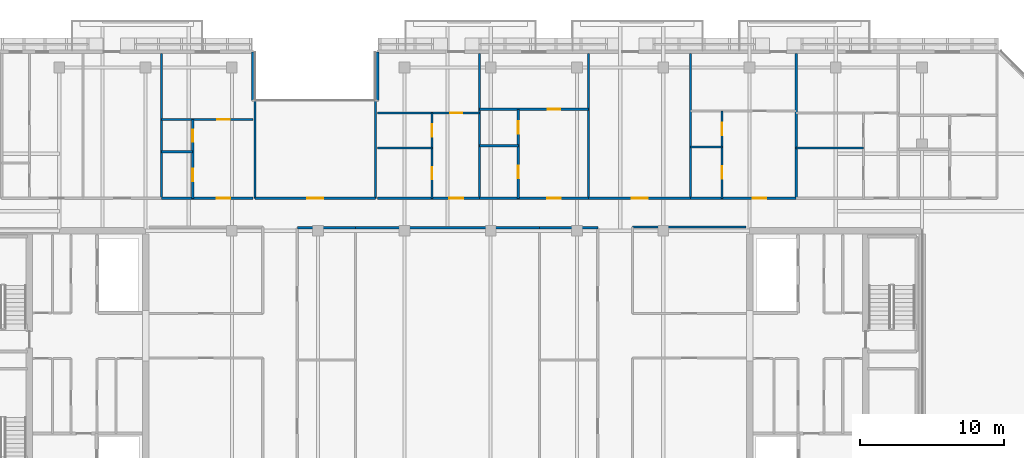
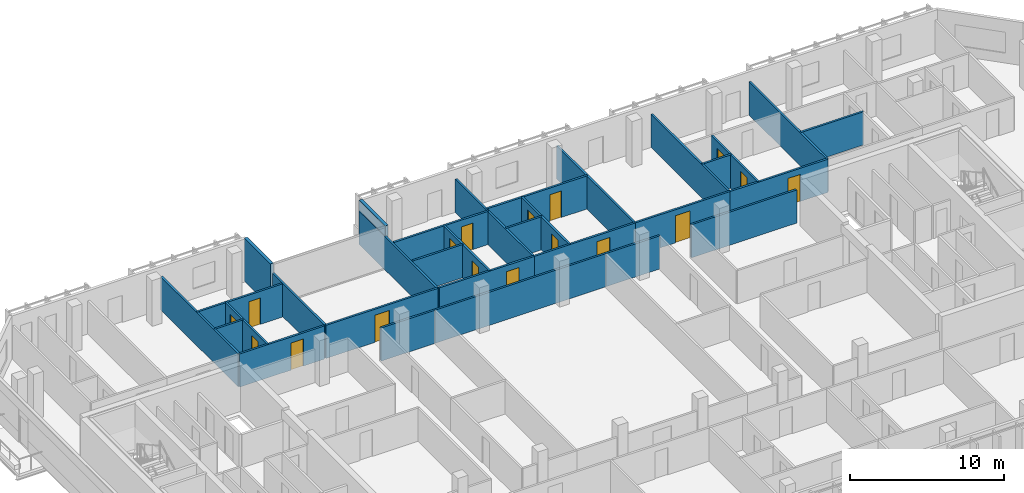
# One storey, part 14 of 23: 31 walls, 17 doors, 17 openings.
"""IFC4 building model written with IfcOpenShell, lengths in metres."""

from ifc_helpers import new_model, si_unit, direction, frame, frame_2d, origin, place, context, subcontext, project, spatial, rectangle, extrude, material, layer, layer_set, type_object, element, fill, save


model = new_model("IFC4")

# Units and contexts
model_context = context("Model", 3, precision=1e-05, world=origin(), true_north=direction((0.0, 1.0)))
body_context = subcontext(model_context, "Body", "Model", "MODEL_VIEW")
ifc_project = project(units=[si_unit("LENGTHUNIT", "METRE"), si_unit("AREAUNIT", "SQUARE_METRE"), si_unit("VOLUMEUNIT", "CUBIC_METRE"), si_unit("PLANEANGLEUNIT", "RADIAN"), si_unit("MASSUNIT", "GRAM", prefix="KILO")], contexts=[model_context])

# Site, building, storey
site_placement = place(None, origin())
site = spatial("IfcSite", under=ifc_project, at=site_placement, CompositionType="ELEMENT")
building_placement = place(site_placement, origin())
building = spatial("IfcBuilding", under=site, at=building_placement, Name="Tanjung Sevakor Pilgrim Tower", CompositionType="ELEMENT")
storey_placement = place(building_placement, frame((0.0, 0.0, 215.489990234375)))
storey = spatial("IfcBuildingStorey", under=building, at=storey_placement, Name="L60", CompositionType="ELEMENT", Elevation=215.489990234375)

# Walls
ifc_material_1 = material(Name="Concrete C40/50", Category="concrete")
ifc_layer_1 = layer(ifc_material_1, 0.14990234375)
ifc_layer_set_1 = layer_set([ifc_layer_1], Name="WT-COMP-150")
wall_type_1 = type_object("IfcWallType", Name="WT-COMP-150", PredefinedType="SOLIDWALL", material=ifc_layer_set_1)
wall_1_placement = place(storey_placement, frame((69.85009765625, 42.85009765625, 0.0), z_axis=(0.0, 0.0, 1.0), x_axis=(1.0, 0.0, 0.0)))
element("IfcWall", 1, at=wall_1_placement, inside=storey, type_object=wall_type_1, Name="L60 Partition IW-L60-043", PredefinedType="SOLIDWALL", context=body_context, shape_type="SweptSolid", body=[
    extrude(rectangle(XDim=7.90478515625, YDim=0.14990234375, at=frame_2d((3.952392578125, 0.0))), origin(), (0.0, 0.0, 1.0), 2.6298828125),
])
wall_2_placement = place(storey_placement, frame((46.550048828125, 42.800048828125, 0.0), z_axis=(0.0, 0.0, 1.0), x_axis=(1.0, 0.0, 0.0)))
element("IfcWall", 2, at=wall_2_placement, inside=storey, type_object=wall_type_1, Name="L60 Partition IW-L60-048", PredefinedType="SOLIDWALL", context=body_context, shape_type="SweptSolid", body=[
    extrude(rectangle(XDim=4.050048828125, YDim=0.14990234375, at=frame_2d((2.02490234375, 0.0))), origin(), (0.0, 0.0, 1.0), 2.6298828125),
])
wall_3_placement = place(storey_placement, frame((50.60009765625, 42.800048828125, 0.0), z_axis=(0.0, 0.0, 1.0), x_axis=(1.0, 0.0, 0.0)))
element("IfcWall", 3, at=wall_3_placement, inside=storey, type_object=wall_type_1, Name="L60 Partition IW-L60-051", PredefinedType="SOLIDWALL", context=body_context, shape_type="SweptSolid", body=[
    extrude(rectangle(XDim=12.7998046875, YDim=0.14990234375, at=frame_2d((6.39990234375, 0.0))), origin(), (0.0, 0.0, 1.0), 2.6298828125),
])
wall_4_placement = place(storey_placement, frame((63.39990234375, 42.800048828125, 0.0), z_axis=(0.0, 0.0, 1.0), x_axis=(1.0, 0.0, 0.0)))
element("IfcWall", 4, at=wall_4_placement, inside=storey, type_object=wall_type_1, Name="L60 Partition IW-L60-057", PredefinedType="SOLIDWALL", context=body_context, shape_type="SweptSolid", body=[
    extrude(rectangle(XDim=4.050048828125, YDim=0.14990234375, at=frame_2d((2.02490234375, 0.0))), origin(), (0.0, 0.0, 1.0), 2.6298828125),
])

# Wall, opening, door
wall_5_placement = place(storey_placement, frame((43.60009765625, 44.85009765625, 0.0), z_axis=(0.0, 0.0, 1.0), x_axis=(1.0, 0.0, 0.0)))
wall_5 = element("IfcWall", 5, at=wall_5_placement, inside=storey, type_object=wall_type_1, Name="L60 Partition IW-L60-062", PredefinedType="SOLIDWALL", context=body_context, shape_type="SweptSolid", body=[
    extrude(rectangle(XDim=8.39990234375, YDim=0.14990234375, at=frame_2d((4.199951171875, 0.0))), origin(), (0.0, 0.0, 1.0), 2.6298828125),
])
opening_1_placement = place(wall_5_placement, frame((3.64990234375, 0.0, 0.0)))
opening_1 = element("IfcOpeningElement", 6, at=opening_1_placement, cuts=wall_5, Name="Opening ID-RM2", PredefinedType="OPENING", context=body_context, shape_type="SweptSolid", body=[
    extrude(rectangle(XDim=1.10009765625, YDim=2.14990234375, at=frame_2d((0.550048828125, 1.074951171875))), frame((0.0, 0.0849609375, 0.0), z_axis=(0.0, -1.0, 0.0), x_axis=(1.0, 0.0, 0.0)), (0.0, 0.0, 1.0), 0.169921875),
])
ifc_material_2 = material(Name="Hardwood Timber", Category="wood")
door_type_1 = type_object("IfcDoorType", Name="DT-INT-1100", OperationType="NOTDEFINED", PredefinedType="DOOR", material=ifc_material_2)
door_1_placement = place(opening_1_placement, origin())
door_1 = element("IfcDoor", 7, at=door_1_placement, inside=storey, type_object=door_type_1, Name="L60 North Cleft Seminar Room Door", OperationType="SINGLE_SWING_RIGHT", OverallHeight=2.14990234375, OverallWidth=1.10009765625, PredefinedType="DOOR", context=body_context, shape_type="SweptSolid", body=[
    extrude(rectangle(XDim=1.10009765625, YDim=2.14990234375, at=frame_2d((0.550048828125, 1.074951171875))), frame((0.0, 0.02490234375, 0.0), z_axis=(0.0, -1.0, 0.0), x_axis=(1.0, 0.0, 0.0)), (0.0, 0.0, 1.0), 0.050048828125),
])
fill(opening_1, door_1)

# Walls
for number, where, z_axis, x_axis, name in (
    (8, (43.60009765625, 44.85009765625, 0.0), (0.0, 0.0, 1.0), (0.0, 1.0, 0.0), "L60 Partition IW-L60-063"),
    (9, (52.0, 44.85009765625, 0.0), (0.0, 0.0, 1.0), (0.0, 1.0, 0.0), "L60 Partition IW-L60-064"),
    (10, (37.119384765625, 44.85009765625, 0.0), (0.0, 0.0, 1.0), (0.0, 1.0, 0.0), "L60 Partition IW-L60-099"),
):
    element("IfcWall", number, at=place(storey_placement, frame(where, z_axis=z_axis, x_axis=x_axis)), inside=storey, type_object=wall_type_1, Name=name, PredefinedType="SOLIDWALL", context=body_context, shape_type="SweptSolid", body=[
        extrude(rectangle(XDim=10.079833984375, YDim=0.14990234375, at=frame_2d((5.0400390625, 0.0))), origin(), (0.0, 0.0, 1.0), 2.6298828125),
    ])

# Wall, opening, door
wall_6_placement = place(storey_placement, frame((37.119384765625, 44.85009765625, 0.0), z_axis=(0.0, 0.0, 1.0), x_axis=(1.0, 0.0, 0.0)))
wall_6 = element("IfcWall", 11, at=wall_6_placement, inside=storey, type_object=wall_type_1, Name="L60 Partition IW-L60-104", PredefinedType="SOLIDWALL", context=body_context, shape_type="SweptSolid", body=[
    extrude(rectangle(XDim=6.360595703125, YDim=0.14990234375, at=frame_2d((3.18017578125, 0.0))), origin(), (0.0, 0.0, 1.0), 2.6298828125),
])
opening_2_placement = place(wall_6_placement, frame((3.82666015625, 0.0, 0.0)))
opening_2 = element("IfcOpeningElement", 12, at=opening_2_placement, cuts=wall_6, Name="Opening ID-FD2", PredefinedType="OPENING", context=body_context, shape_type="SweptSolid", body=[
    extrude(rectangle(XDim=0.949951171875, YDim=2.14990234375, at=frame_2d((0.47509765625, 1.074951171875))), frame((0.0, 0.0849609375, 0.0), z_axis=(0.0, -1.0, 0.0), x_axis=(1.0, 0.0, 0.0)), (0.0, 0.0, 1.0), 0.169921875),
])
ifc_material_3 = material(Name="Fire-Rated Timber", Category="wood")
door_type_2 = type_object("IfcDoorType", Name="DT-FIRE-950", OperationType="NOTDEFINED", PredefinedType="DOOR", material=ifc_material_3)
door_2_placement = place(opening_2_placement, origin())
door_2 = element("IfcDoor", 13, at=door_2_placement, inside=storey, type_object=door_type_2, Name="Residence Entrance", OperationType="SINGLE_SWING_RIGHT", OverallHeight=2.14990234375, OverallWidth=0.949951171875, PredefinedType="DOOR", context=body_context, shape_type="SweptSolid", body=[
    extrude(rectangle(XDim=0.949951171875, YDim=2.14990234375, at=frame_2d((0.47509765625, 1.074951171875))), frame((0.0, 0.02490234375, 0.0), z_axis=(0.0, -1.0, 0.0), x_axis=(1.0, 0.0, 0.0)), (0.0, 0.0, 1.0), 0.050048828125),
])
fill(opening_2, door_2)

# Wall
wall_7_placement = place(storey_placement, frame((59.218505859375, 44.85009765625, 0.0), z_axis=(0.0, 0.0, 1.0), x_axis=(0.0, 1.0, 0.0)))
element("IfcWall", 14, at=wall_7_placement, inside=storey, type_object=wall_type_1, Name="L60 Partition IW-L60-106", PredefinedType="SOLIDWALL", context=body_context, shape_type="SweptSolid", body=[
    extrude(rectangle(XDim=10.079833984375, YDim=0.14990234375, at=frame_2d((5.0400390625, 0.0))), origin(), (0.0, 0.0, 1.0), 2.6298828125),
])

# Wall, opening, door
wall_8_placement = place(storey_placement, frame((52.1201171875, 44.85009765625, 0.0), z_axis=(0.0, 0.0, 1.0), x_axis=(1.0, 0.0, 0.0)))
wall_8 = element("IfcWall", 15, at=wall_8_placement, inside=storey, type_object=wall_type_1, Name="L60 Partition IW-L60-110", PredefinedType="SOLIDWALL", context=body_context, shape_type="SweptSolid", body=[
    extrude(rectangle(XDim=7.098388671875, YDim=0.14990234375, at=frame_2d((3.54931640625, 0.0))), origin(), (0.0, 0.0, 1.0), 2.6298828125),
])
opening_3_placement = place(wall_8_placement, frame((5.01416015625, 0.0, 0.0)))
opening_3 = element("IfcOpeningElement", 16, at=opening_3_placement, cuts=wall_8, Name="Opening ID-FD2", PredefinedType="OPENING", context=body_context, shape_type="SweptSolid", body=[
    extrude(rectangle(XDim=0.949951171875, YDim=2.14990234375, at=frame_2d((0.47509765625, 1.074951171875))), frame((0.0, 0.0849609375, 0.0), z_axis=(0.0, -1.0, 0.0), x_axis=(1.0, 0.0, 0.0)), (0.0, 0.0, 1.0), 0.169921875),
])
door_3_placement = place(opening_3_placement, origin())
door_3 = element("IfcDoor", 17, at=door_3_placement, inside=storey, type_object=door_type_2, Name="Residence Entrance", OperationType="SINGLE_SWING_RIGHT", OverallHeight=2.14990234375, OverallWidth=0.949951171875, PredefinedType="DOOR", context=body_context, shape_type="SweptSolid", body=[
    extrude(rectangle(XDim=0.949951171875, YDim=2.14990234375, at=frame_2d((0.47509765625, 1.074951171875))), frame((0.0, 0.02490234375, 0.0), z_axis=(0.0, -1.0, 0.0), x_axis=(1.0, 0.0, 0.0)), (0.0, 0.0, 1.0), 0.050048828125),
])
fill(opening_3, door_3)

# Wall
wall_9_placement = place(storey_placement, frame((66.806396484375, 44.85009765625, 0.0), z_axis=(0.0, 0.0, 1.0), x_axis=(0.0, 1.0, 0.0)))
element("IfcWall", 18, at=wall_9_placement, inside=storey, type_object=wall_type_1, Name="L60 Partition IW-L60-111", PredefinedType="SOLIDWALL", context=body_context, shape_type="SweptSolid", body=[
    extrude(rectangle(XDim=10.079833984375, YDim=0.14990234375, at=frame_2d((5.0400390625, 0.0))), origin(), (0.0, 0.0, 1.0), 2.6298828125),
])

# Wall, opening, door
wall_10_placement = place(storey_placement, frame((59.218505859375, 44.85009765625, 0.0), z_axis=(0.0, 0.0, 1.0), x_axis=(1.0, 0.0, 0.0)))
wall_10 = element("IfcWall", 19, at=wall_10_placement, inside=storey, type_object=wall_type_1, Name="L60 Partition IW-L60-115", PredefinedType="SOLIDWALL", context=body_context, shape_type="SweptSolid", body=[
    extrude(rectangle(XDim=7.587890625, YDim=0.14990234375, at=frame_2d((3.7939453125, 0.0))), origin(), (0.0, 0.0, 1.0), 2.6298828125),
])
opening_4_placement = place(wall_10_placement, frame((4.709716796875, 0.0, 0.0)))
opening_4 = element("IfcOpeningElement", 20, at=opening_4_placement, cuts=wall_10, Name="Opening ID-FD2", PredefinedType="OPENING", context=body_context, shape_type="SweptSolid", body=[
    extrude(rectangle(XDim=0.949951171875, YDim=2.14990234375, at=frame_2d((0.47509765625, 1.074951171875))), frame((0.0, 0.0849609375, 0.0), z_axis=(0.0, -1.0, 0.0), x_axis=(1.0, 0.0, 0.0)), (0.0, 0.0, 1.0), 0.169921875),
])
door_4_placement = place(opening_4_placement, origin())
door_4 = element("IfcDoor", 21, at=door_4_placement, inside=storey, type_object=door_type_2, Name="Residence Entrance", OperationType="SINGLE_SWING_RIGHT", OverallHeight=2.14990234375, OverallWidth=0.949951171875, PredefinedType="DOOR", context=body_context, shape_type="SweptSolid", body=[
    extrude(rectangle(XDim=0.949951171875, YDim=2.14990234375, at=frame_2d((0.47509765625, 1.074951171875))), frame((0.0, 0.02490234375, 0.0), z_axis=(0.0, -1.0, 0.0), x_axis=(1.0, 0.0, 0.0)), (0.0, 0.0, 1.0), 0.050048828125),
])
fill(opening_4, door_4)

# Wall
wall_11_placement = place(storey_placement, frame((73.90478515625, 44.85009765625, 0.0), z_axis=(0.0, 0.0, 1.0), x_axis=(0.0, 1.0, 0.0)))
element("IfcWall", 22, at=wall_11_placement, inside=storey, type_object=wall_type_1, Name="L60 Partition IW-L60-116", PredefinedType="SOLIDWALL", context=body_context, shape_type="SweptSolid", body=[
    extrude(rectangle(XDim=10.079833984375, YDim=0.14990234375, at=frame_2d((5.0400390625, 0.0))), origin(), (0.0, 0.0, 1.0), 2.6298828125),
])

# Wall, opening, door
wall_12_placement = place(storey_placement, frame((66.806396484375, 44.85009765625, 0.0), z_axis=(0.0, 0.0, 1.0), x_axis=(1.0, 0.0, 0.0)))
wall_12 = element("IfcWall", 23, at=wall_12_placement, inside=storey, type_object=wall_type_1, Name="L60 Partition IW-L60-117", PredefinedType="SOLIDWALL", context=body_context, shape_type="SweptSolid", body=[
    extrude(rectangle(XDim=7.098388671875, YDim=0.14990234375, at=frame_2d((3.54931640625, 0.0))), origin(), (0.0, 0.0, 1.0), 2.6298828125),
])
opening_5_placement = place(wall_12_placement, frame((2.999267578125, 0.0, 0.0)))
opening_5 = element("IfcOpeningElement", 24, at=opening_5_placement, cuts=wall_12, Name="Opening ID-FD0", PredefinedType="OPENING", context=body_context, shape_type="SweptSolid", body=[
    extrude(rectangle(XDim=1.10009765625, YDim=2.14990234375, at=frame_2d((0.550048828125, 1.074951171875))), frame((0.0, 0.0849609375, 0.0), z_axis=(0.0, -1.0, 0.0), x_axis=(1.0, 0.0, 0.0)), (0.0, 0.0, 1.0), 0.169921875),
])
ifc_material_4 = material(Name="Fire-Rated Steel S355J2", Category="steel")
door_type_3 = type_object("IfcDoorType", Name="DT-FIRE-1100", OperationType="NOTDEFINED", PredefinedType="DOOR", material=ifc_material_4)
door_5_placement = place(opening_5_placement, origin())
door_5 = element("IfcDoor", 25, at=door_5_placement, inside=storey, type_object=door_type_3, Name="Communal Lounge Door", OperationType="SINGLE_SWING_LEFT", OverallHeight=2.14990234375, OverallWidth=1.10009765625, PredefinedType="DOOR", context=body_context, shape_type="SweptSolid", body=[
    extrude(rectangle(XDim=1.10009765625, YDim=2.14990234375, at=frame_2d((0.550048828125, 1.074951171875))), frame((0.0, 0.02490234375, 0.0), z_axis=(0.0, -1.0, 0.0), x_axis=(1.0, 0.0, 0.0)), (0.0, 0.0, 1.0), 0.050048828125),
])
fill(opening_5, door_5)

# Wall
wall_13_placement = place(storey_placement, frame((81.248046875, 44.85009765625, 0.0), z_axis=(0.0, 0.0, 1.0), x_axis=(0.0, 1.0, 0.0)))
element("IfcWall", 26, at=wall_13_placement, inside=storey, type_object=wall_type_1, Name="L60 Partition IW-L60-118", PredefinedType="SOLIDWALL", context=body_context, shape_type="SweptSolid", body=[
    extrude(rectangle(XDim=10.079833984375, YDim=0.14990234375, at=frame_2d((5.0400390625, 0.0))), origin(), (0.0, 0.0, 1.0), 2.6298828125),
])

# Wall, opening, door
wall_14_placement = place(storey_placement, frame((73.90478515625, 44.85009765625, 0.0), z_axis=(0.0, 0.0, 1.0), x_axis=(1.0, 0.0, 0.0)))
wall_14 = element("IfcWall", 27, at=wall_14_placement, inside=storey, type_object=wall_type_1, Name="L60 Partition IW-L60-122", PredefinedType="SOLIDWALL", context=body_context, shape_type="SweptSolid", body=[
    extrude(rectangle(XDim=7.34326171875, YDim=0.14990234375, at=frame_2d((3.671630859375, 0.0))), origin(), (0.0, 0.0, 1.0), 2.6298828125),
])
opening_6_placement = place(wall_14_placement, frame((4.32421875, 0.0, 0.0)))
opening_6 = element("IfcOpeningElement", 28, at=opening_6_placement, cuts=wall_14, Name="Opening ID-FD2", PredefinedType="OPENING", context=body_context, shape_type="SweptSolid", body=[
    extrude(rectangle(XDim=0.949951171875, YDim=2.14990234375, at=frame_2d((0.47509765625, 1.074951171875))), frame((0.0, 0.0849609375, 0.0), z_axis=(0.0, -1.0, 0.0), x_axis=(1.0, 0.0, 0.0)), (0.0, 0.0, 1.0), 0.169921875),
])
door_6_placement = place(opening_6_placement, origin())
door_6 = element("IfcDoor", 29, at=door_6_placement, inside=storey, type_object=door_type_2, Name="Residence Entrance", OperationType="SINGLE_SWING_LEFT", OverallHeight=2.14990234375, OverallWidth=0.949951171875, PredefinedType="DOOR", context=body_context, shape_type="SweptSolid", body=[
    extrude(rectangle(XDim=0.949951171875, YDim=2.14990234375, at=frame_2d((0.47509765625, 1.074951171875))), frame((0.0, 0.02490234375, 0.0), z_axis=(0.0, -1.0, 0.0), x_axis=(1.0, 0.0, 0.0)), (0.0, 0.0, 1.0), 0.050048828125),
])
fill(opening_6, door_6)

# Walls
ifc_material_5 = material(Name="Precast concrete C45/55", Category="concrete")
ifc_layer_2 = layer(ifc_material_5, 0.219970703125)
ifc_layer_set_2 = layer_set([ifc_layer_2], Name="WT-EW-STN4")
wall_type_2 = type_object("IfcWallType", Name="WT-EW-STN4", PredefinedType="SOLIDWALL", material=ifc_layer_set_2)
for number, where, z_axis, x_axis, name in (
    (30, (52.110107421875, 55.0400390625, 0.0), (0.0, 0.0, 1.0), (0.0, -1.0, 0.0), "L60 MAIN Exterior Wall 10"),
    (31, (43.489990234375, 51.639892578125, 0.0), (0.0, 0.0, 1.0), (0.0, 1.0, 0.0), "L60 MAIN Exterior Wall 12"),
):
    element("IfcWall", number, at=place(storey_placement, frame(where, z_axis=z_axis, x_axis=x_axis)), inside=storey, type_object=wall_type_2, Name=name, PredefinedType="SOLIDWALL", context=body_context, shape_type="SweptSolid", body=[
        extrude(rectangle(XDim=3.400146484375, YDim=0.219970703125, at=frame_2d((1.7001953125, 0.0))), origin(), (0.0, 0.0, 1.0), 3.409912109375),
    ])
ifc_material_6 = material(Name="Gypsum Board Partition", Category="gypsum board")
ifc_layer_3 = layer(ifc_material_6, 0.14990234375)
ifc_layer_set_3 = layer_set([ifc_layer_3], Name="WT-PART-150")
wall_type_3 = type_object("IfcWallType", Name="WT-PART-150", PredefinedType="PARTITIONING", material=ifc_layer_set_3)
wall_15_placement = place(storey_placement, frame((37.119384765625, 48.083251953125, 0.0), z_axis=(0.0, 0.0, 1.0), x_axis=(1.0, 0.0, 0.0)))
element("IfcWall", 32, at=wall_15_placement, inside=storey, type_object=wall_type_3, Name="L60 Partition IW-L60-101", PredefinedType="PARTITIONING", context=body_context, shape_type="SweptSolid", body=[
    extrude(rectangle(XDim=2.16259765625, YDim=0.14990234375, at=frame_2d((1.081298828125, 0.0))), origin(), (0.0, 0.0, 1.0), 2.6298828125),
])

# Wall, openings, doors
wall_16_placement = place(storey_placement, frame((39.281982421875, 44.85009765625, 0.0), z_axis=(0.0, 0.0, 1.0), x_axis=(0.0, 1.0, 0.0)))
wall_16 = element("IfcWall", 33, at=wall_16_placement, inside=storey, type_object=wall_type_3, Name="L60 Partition IW-L60-102", PredefinedType="PARTITIONING", context=body_context, shape_type="SweptSolid", body=[
    extrude(rectangle(XDim=5.47998046875, YDim=0.14990234375, at=frame_2d((2.739990234375, 0.0))), origin(), (0.0, 0.0, 1.0), 2.6298828125),
])
opening_7_placement = place(wall_16_placement, frame((1.191650390625, 0.0, 0.0)))
opening_7 = element("IfcOpeningElement", 34, at=opening_7_placement, cuts=wall_16, Name="Opening ID-WC1", PredefinedType="OPENING", context=body_context, shape_type="SweptSolid", body=[
    extrude(rectangle(XDim=0.85009765625, YDim=2.10009765625, at=frame_2d((0.425048828125, 1.050048828125))), frame((0.0, 0.0849609375, 0.0), z_axis=(0.0, -1.0, 0.0), x_axis=(1.0, 0.0, 0.0)), (0.0, 0.0, 1.0), 0.169921875),
])
opening_8_placement = place(wall_16_placement, frame((3.931640625, 0.0, 0.0)))
opening_8 = element("IfcOpeningElement", 35, at=opening_8_placement, cuts=wall_16, Name="Opening ID-WC1", PredefinedType="OPENING", context=body_context, shape_type="SweptSolid", body=[
    extrude(rectangle(XDim=0.85009765625, YDim=2.10009765625, at=frame_2d((0.425048828125, 1.050048828125))), frame((0.0, 0.0849609375, 0.0), z_axis=(0.0, -1.0, 0.0), x_axis=(1.0, 0.0, 0.0)), (0.0, 0.0, 1.0), 0.169921875),
])
ifc_material_7 = material(Name="Moisture-Resistant Timber", Category="wood")
door_type_4 = type_object("IfcDoorType", Name="DT-INT-850", OperationType="NOTDEFINED", PredefinedType="DOOR", material=ifc_material_7)
door_7_placement = place(opening_7_placement, origin())
door_7 = element("IfcDoor", 36, at=door_7_placement, inside=storey, type_object=door_type_4, Name="Residence Kitchenette Door", OperationType="SINGLE_SWING_LEFT", OverallHeight=2.10009765625, OverallWidth=0.85009765625, PredefinedType="DOOR", context=body_context, shape_type="SweptSolid", body=[
    extrude(rectangle(XDim=0.85009765625, YDim=2.10009765625, at=frame_2d((0.425048828125, 1.050048828125))), frame((0.0, 0.02490234375, 0.0), z_axis=(0.0, -1.0, 0.0), x_axis=(1.0, 0.0, 0.0)), (0.0, 0.0, 1.0), 0.050048828125),
])
fill(opening_7, door_7)
door_8_placement = place(opening_8_placement, origin())
door_8 = element("IfcDoor", 37, at=door_8_placement, inside=storey, type_object=door_type_4, Name="Residence Bathroom Door", OperationType="SINGLE_SWING_RIGHT", OverallHeight=2.10009765625, OverallWidth=0.85009765625, PredefinedType="DOOR", context=body_context, shape_type="SweptSolid", body=[
    extrude(rectangle(XDim=0.85009765625, YDim=2.10009765625, at=frame_2d((0.425048828125, 1.050048828125))), frame((0.0, 0.02490234375, 0.0), z_axis=(0.0, -1.0, 0.0), x_axis=(1.0, 0.0, 0.0)), (0.0, 0.0, 1.0), 0.050048828125),
])
fill(opening_8, door_8)

# Wall, opening, door
wall_17_placement = place(storey_placement, frame((37.119384765625, 50.330078125, 0.0), z_axis=(0.0, 0.0, 1.0), x_axis=(1.0, 0.0, 0.0)))
wall_17 = element("IfcWall", 38, at=wall_17_placement, inside=storey, type_object=wall_type_3, Name="L60 Partition IW-L60-103", PredefinedType="PARTITIONING", context=body_context, shape_type="SweptSolid", body=[
    extrude(rectangle(XDim=6.360595703125, YDim=0.14990234375, at=frame_2d((3.18017578125, 0.0))), origin(), (0.0, 0.0, 1.0), 2.6298828125),
])
opening_9_placement = place(wall_17_placement, frame((3.876708984375, 0.0, 0.0)))
opening_9 = element("IfcOpeningElement", 39, at=opening_9_placement, cuts=wall_17, Name="Opening ID-WC1", PredefinedType="OPENING", context=body_context, shape_type="SweptSolid", body=[
    extrude(rectangle(XDim=0.85009765625, YDim=2.10009765625, at=frame_2d((0.425048828125, 1.050048828125))), frame((0.0, 0.0849609375, 0.0), z_axis=(0.0, -1.0, 0.0), x_axis=(1.0, 0.0, 0.0)), (0.0, 0.0, 1.0), 0.169921875),
])
door_9_placement = place(opening_9_placement, origin())
door_9 = element("IfcDoor", 40, at=door_9_placement, inside=storey, type_object=door_type_4, Name="Residence Bedroom Door", OperationType="SINGLE_SWING_LEFT", OverallHeight=2.10009765625, OverallWidth=0.85009765625, PredefinedType="DOOR", context=body_context, shape_type="SweptSolid", body=[
    extrude(rectangle(XDim=0.85009765625, YDim=2.10009765625, at=frame_2d((0.425048828125, 1.050048828125))), frame((0.0, 0.02490234375, 0.0), z_axis=(0.0, -1.0, 0.0), x_axis=(1.0, 0.0, 0.0)), (0.0, 0.0, 1.0), 0.050048828125),
])
fill(opening_9, door_9)

# Wall
wall_18_placement = place(storey_placement, frame((52.1201171875, 48.34521484375, 0.0), z_axis=(0.0, 0.0, 1.0), x_axis=(1.0, 0.0, 0.0)))
element("IfcWall", 41, at=wall_18_placement, inside=storey, type_object=wall_type_3, Name="L60 Partition IW-L60-107", PredefinedType="PARTITIONING", context=body_context, shape_type="SweptSolid", body=[
    extrude(rectangle(XDim=3.7998046875, YDim=0.14990234375, at=frame_2d((1.89990234375, 0.0))), origin(), (0.0, 0.0, 1.0), 2.6298828125),
])

# Wall, openings, doors
wall_19_placement = place(storey_placement, frame((55.919921875, 44.85009765625, 0.0), z_axis=(0.0, 0.0, 1.0), x_axis=(0.0, 1.0, 0.0)))
wall_19 = element("IfcWall", 42, at=wall_19_placement, inside=storey, type_object=wall_type_3, Name="L60 Partition IW-L60-108", PredefinedType="PARTITIONING", context=body_context, shape_type="SweptSolid", body=[
    extrude(rectangle(XDim=5.924072265625, YDim=0.14990234375, at=frame_2d((2.9619140625, 0.0))), origin(), (0.0, 0.0, 1.0), 2.6298828125),
])
opening_10_placement = place(wall_19_placement, frame((1.322509765625, 0.0, 0.0)))
opening_10 = element("IfcOpeningElement", 43, at=opening_10_placement, cuts=wall_19, Name="Opening ID-WC1", PredefinedType="OPENING", context=body_context, shape_type="SweptSolid", body=[
    extrude(rectangle(XDim=0.85009765625, YDim=2.10009765625, at=frame_2d((0.425048828125, 1.050048828125))), frame((0.0, 0.0849609375, 0.0), z_axis=(0.0, -1.0, 0.0), x_axis=(1.0, 0.0, 0.0)), (0.0, 0.0, 1.0), 0.169921875),
])
opening_11_placement = place(wall_19_placement, frame((4.28466796875, 0.0, 0.0)))
opening_11 = element("IfcOpeningElement", 44, at=opening_11_placement, cuts=wall_19, Name="Opening ID-WC1", PredefinedType="OPENING", context=body_context, shape_type="SweptSolid", body=[
    extrude(rectangle(XDim=0.85009765625, YDim=2.10009765625, at=frame_2d((0.425048828125, 1.050048828125))), frame((0.0, 0.0849609375, 0.0), z_axis=(0.0, -1.0, 0.0), x_axis=(1.0, 0.0, 0.0)), (0.0, 0.0, 1.0), 0.169921875),
])
door_10_placement = place(opening_10_placement, origin())
door_10 = element("IfcDoor", 45, at=door_10_placement, inside=storey, type_object=door_type_4, Name="Residence Kitchenette Door", OperationType="SINGLE_SWING_LEFT", OverallHeight=2.10009765625, OverallWidth=0.85009765625, PredefinedType="DOOR", context=body_context, shape_type="SweptSolid", body=[
    extrude(rectangle(XDim=0.85009765625, YDim=2.10009765625, at=frame_2d((0.425048828125, 1.050048828125))), frame((0.0, 0.02490234375, 0.0), z_axis=(0.0, -1.0, 0.0), x_axis=(1.0, 0.0, 0.0)), (0.0, 0.0, 1.0), 0.050048828125),
])
fill(opening_10, door_10)
door_11_placement = place(opening_11_placement, origin())
door_11 = element("IfcDoor", 46, at=door_11_placement, inside=storey, type_object=door_type_4, Name="Residence Bathroom Door", OperationType="SINGLE_SWING_RIGHT", OverallHeight=2.10009765625, OverallWidth=0.85009765625, PredefinedType="DOOR", context=body_context, shape_type="SweptSolid", body=[
    extrude(rectangle(XDim=0.85009765625, YDim=2.10009765625, at=frame_2d((0.425048828125, 1.050048828125))), frame((0.0, 0.02490234375, 0.0), z_axis=(0.0, -1.0, 0.0), x_axis=(1.0, 0.0, 0.0)), (0.0, 0.0, 1.0), 0.050048828125),
])
fill(opening_11, door_11)

# Wall, opening, door
wall_20_placement = place(storey_placement, frame((52.1201171875, 50.774169921875, 0.0), z_axis=(0.0, 0.0, 1.0), x_axis=(1.0, 0.0, 0.0)))
wall_20 = element("IfcWall", 47, at=wall_20_placement, inside=storey, type_object=wall_type_3, Name="L60 Partition IW-L60-109", PredefinedType="PARTITIONING", context=body_context, shape_type="SweptSolid", body=[
    extrude(rectangle(XDim=7.098388671875, YDim=0.14990234375, at=frame_2d((3.54931640625, 0.0))), origin(), (0.0, 0.0, 1.0), 2.6298828125),
])
opening_12_placement = place(wall_20_placement, frame((5.064208984375, 0.0, 0.0)))
opening_12 = element("IfcOpeningElement", 48, at=opening_12_placement, cuts=wall_20, Name="Opening ID-WC1", PredefinedType="OPENING", context=body_context, shape_type="SweptSolid", body=[
    extrude(rectangle(XDim=0.85009765625, YDim=2.10009765625, at=frame_2d((0.425048828125, 1.050048828125))), frame((0.0, 0.0849609375, 0.0), z_axis=(0.0, -1.0, 0.0), x_axis=(1.0, 0.0, 0.0)), (0.0, 0.0, 1.0), 0.169921875),
])
door_12_placement = place(opening_12_placement, origin())
door_12 = element("IfcDoor", 49, at=door_12_placement, inside=storey, type_object=door_type_4, Name="Residence Bedroom Door", OperationType="SINGLE_SWING_LEFT", OverallHeight=2.10009765625, OverallWidth=0.85009765625, PredefinedType="DOOR", context=body_context, shape_type="SweptSolid", body=[
    extrude(rectangle(XDim=0.85009765625, YDim=2.10009765625, at=frame_2d((0.425048828125, 1.050048828125))), frame((0.0, 0.02490234375, 0.0), z_axis=(0.0, -1.0, 0.0), x_axis=(1.0, 0.0, 0.0)), (0.0, 0.0, 1.0), 0.050048828125),
])
fill(opening_12, door_12)

# Wall
wall_21_placement = place(storey_placement, frame((59.218505859375, 48.50341796875, 0.0), z_axis=(0.0, 0.0, 1.0), x_axis=(1.0, 0.0, 0.0)))
element("IfcWall", 50, at=wall_21_placement, inside=storey, type_object=wall_type_3, Name="L60 Partition IW-L60-112", PredefinedType="PARTITIONING", context=body_context, shape_type="SweptSolid", body=[
    extrude(rectangle(XDim=2.701416015625, YDim=0.14990234375, at=frame_2d((1.3505859375, 0.0))), origin(), (0.0, 0.0, 1.0), 2.6298828125),
])

# Wall, openings, doors
wall_22_placement = place(storey_placement, frame((61.919921875, 44.85009765625, 0.0), z_axis=(0.0, 0.0, 1.0), x_axis=(0.0, 1.0, 0.0)))
wall_22 = element("IfcWall", 51, at=wall_22_placement, inside=storey, type_object=wall_type_3, Name="L60 Partition IW-L60-113", PredefinedType="PARTITIONING", context=body_context, shape_type="SweptSolid", body=[
    extrude(rectangle(XDim=6.192138671875, YDim=0.14990234375, at=frame_2d((3.09619140625, 0.0))), origin(), (0.0, 0.0, 1.0), 2.6298828125),
])
opening_13_placement = place(wall_22_placement, frame((1.40185546875, 0.0, 0.0)))
opening_13 = element("IfcOpeningElement", 52, at=opening_13_placement, cuts=wall_22, Name="Opening ID-WC1", PredefinedType="OPENING", context=body_context, shape_type="SweptSolid", body=[
    extrude(rectangle(XDim=0.85009765625, YDim=2.10009765625, at=frame_2d((0.425048828125, 1.050048828125))), frame((0.0, 0.0849609375, 0.0), z_axis=(0.0, -1.0, 0.0), x_axis=(1.0, 0.0, 0.0)), (0.0, 0.0, 1.0), 0.169921875),
])
opening_14_placement = place(wall_22_placement, frame((4.497802734375, 0.0, 0.0)))
opening_14 = element("IfcOpeningElement", 53, at=opening_14_placement, cuts=wall_22, Name="Opening ID-WC1", PredefinedType="OPENING", context=body_context, shape_type="SweptSolid", body=[
    extrude(rectangle(XDim=0.85009765625, YDim=2.10009765625, at=frame_2d((0.425048828125, 1.050048828125))), frame((0.0, 0.0849609375, 0.0), z_axis=(0.0, -1.0, 0.0), x_axis=(1.0, 0.0, 0.0)), (0.0, 0.0, 1.0), 0.169921875),
])
door_13_placement = place(opening_13_placement, origin())
door_13 = element("IfcDoor", 54, at=door_13_placement, inside=storey, type_object=door_type_4, Name="Residence Kitchenette Door", OperationType="SINGLE_SWING_LEFT", OverallHeight=2.10009765625, OverallWidth=0.85009765625, PredefinedType="DOOR", context=body_context, shape_type="SweptSolid", body=[
    extrude(rectangle(XDim=0.85009765625, YDim=2.10009765625, at=frame_2d((0.425048828125, 1.050048828125))), frame((0.0, 0.02490234375, 0.0), z_axis=(0.0, -1.0, 0.0), x_axis=(1.0, 0.0, 0.0)), (0.0, 0.0, 1.0), 0.050048828125),
])
fill(opening_13, door_13)
door_14_placement = place(opening_14_placement, origin())
door_14 = element("IfcDoor", 55, at=door_14_placement, inside=storey, type_object=door_type_4, Name="Residence Bathroom Door", OperationType="SINGLE_SWING_RIGHT", OverallHeight=2.10009765625, OverallWidth=0.85009765625, PredefinedType="DOOR", context=body_context, shape_type="SweptSolid", body=[
    extrude(rectangle(XDim=0.85009765625, YDim=2.10009765625, at=frame_2d((0.425048828125, 1.050048828125))), frame((0.0, 0.02490234375, 0.0), z_axis=(0.0, -1.0, 0.0), x_axis=(1.0, 0.0, 0.0)), (0.0, 0.0, 1.0), 0.050048828125),
])
fill(opening_14, door_14)

# Wall, opening, door
wall_23_placement = place(storey_placement, frame((59.218505859375, 51.042236328125, 0.0), z_axis=(0.0, 0.0, 1.0), x_axis=(1.0, 0.0, 0.0)))
wall_23 = element("IfcWall", 56, at=wall_23_placement, inside=storey, type_object=wall_type_3, Name="L60 Partition IW-L60-114", PredefinedType="PARTITIONING", context=body_context, shape_type="SweptSolid", body=[
    extrude(rectangle(XDim=7.587890625, YDim=0.14990234375, at=frame_2d((3.7939453125, 0.0))), origin(), (0.0, 0.0, 1.0), 2.6298828125),
])
opening_15_placement = place(wall_23_placement, frame((4.759765625, 0.0, 0.0)))
opening_15 = element("IfcOpeningElement", 57, at=opening_15_placement, cuts=wall_23, Name="Opening ID-WC1", PredefinedType="OPENING", context=body_context, shape_type="SweptSolid", body=[
    extrude(rectangle(XDim=0.85009765625, YDim=2.10009765625, at=frame_2d((0.425048828125, 1.050048828125))), frame((0.0, 0.0849609375, 0.0), z_axis=(0.0, -1.0, 0.0), x_axis=(1.0, 0.0, 0.0)), (0.0, 0.0, 1.0), 0.169921875),
])
door_15_placement = place(opening_15_placement, origin())
door_15 = element("IfcDoor", 58, at=door_15_placement, inside=storey, type_object=door_type_4, Name="Residence Bedroom Door", OperationType="SINGLE_SWING_LEFT", OverallHeight=2.10009765625, OverallWidth=0.85009765625, PredefinedType="DOOR", context=body_context, shape_type="SweptSolid", body=[
    extrude(rectangle(XDim=0.85009765625, YDim=2.10009765625, at=frame_2d((0.425048828125, 1.050048828125))), frame((0.0, 0.02490234375, 0.0), z_axis=(0.0, -1.0, 0.0), x_axis=(1.0, 0.0, 0.0)), (0.0, 0.0, 1.0), 0.050048828125),
])
fill(opening_15, door_15)

# Wall
wall_24_placement = place(storey_placement, frame((73.90478515625, 48.427001953125, 0.0), z_axis=(0.0, 0.0, 1.0), x_axis=(1.0, 0.0, 0.0)))
element("IfcWall", 59, at=wall_24_placement, inside=storey, type_object=wall_type_3, Name="L60 Partition IW-L60-119", PredefinedType="PARTITIONING", context=body_context, shape_type="SweptSolid", body=[
    extrude(rectangle(XDim=2.17529296875, YDim=0.14990234375, at=frame_2d((1.087646484375, 0.0))), origin(), (0.0, 0.0, 1.0), 2.6298828125),
])

# Wall, openings, doors
wall_25_placement = place(storey_placement, frame((76.080078125, 44.85009765625, 0.0), z_axis=(0.0, 0.0, 1.0), x_axis=(0.0, 1.0, 0.0)))
wall_25 = element("IfcWall", 60, at=wall_25_placement, inside=storey, type_object=wall_type_3, Name="L60 Partition IW-L60-120", PredefinedType="PARTITIONING", context=body_context, shape_type="SweptSolid", body=[
    extrude(rectangle(XDim=6.0625, YDim=0.14990234375, at=frame_2d((3.03125, 0.0))), origin(), (0.0, 0.0, 1.0), 2.6298828125),
])
opening_16_placement = place(wall_25_placement, frame((1.363525390625, 0.0, 0.0)))
opening_16 = element("IfcOpeningElement", 61, at=opening_16_placement, cuts=wall_25, Name="Opening ID-WC1", PredefinedType="OPENING", context=body_context, shape_type="SweptSolid", body=[
    extrude(rectangle(XDim=0.85009765625, YDim=2.10009765625, at=frame_2d((0.425048828125, 1.050048828125))), frame((0.0, 0.0849609375, 0.0), z_axis=(0.0, -1.0, 0.0), x_axis=(1.0, 0.0, 0.0)), (0.0, 0.0, 1.0), 0.169921875),
])
opening_17_placement = place(wall_25_placement, frame((4.394775390625, 0.0, 0.0)))
opening_17 = element("IfcOpeningElement", 62, at=opening_17_placement, cuts=wall_25, Name="Opening ID-WC1", PredefinedType="OPENING", context=body_context, shape_type="SweptSolid", body=[
    extrude(rectangle(XDim=0.85009765625, YDim=2.10009765625, at=frame_2d((0.425048828125, 1.050048828125))), frame((0.0, 0.0849609375, 0.0), z_axis=(0.0, -1.0, 0.0), x_axis=(1.0, 0.0, 0.0)), (0.0, 0.0, 1.0), 0.169921875),
])
door_16_placement = place(opening_16_placement, origin())
door_16 = element("IfcDoor", 63, at=door_16_placement, inside=storey, type_object=door_type_4, Name="Residence Kitchenette Door", OperationType="SINGLE_SWING_RIGHT", OverallHeight=2.10009765625, OverallWidth=0.85009765625, PredefinedType="DOOR", context=body_context, shape_type="SweptSolid", body=[
    extrude(rectangle(XDim=0.85009765625, YDim=2.10009765625, at=frame_2d((0.425048828125, 1.050048828125))), frame((0.0, 0.02490234375, 0.0), z_axis=(0.0, -1.0, 0.0), x_axis=(1.0, 0.0, 0.0)), (0.0, 0.0, 1.0), 0.050048828125),
])
fill(opening_16, door_16)
door_17_placement = place(opening_17_placement, origin())
door_17 = element("IfcDoor", 64, at=door_17_placement, inside=storey, type_object=door_type_4, Name="Residence Bathroom Door", OperationType="SINGLE_SWING_LEFT", OverallHeight=2.10009765625, OverallWidth=0.85009765625, PredefinedType="DOOR", context=body_context, shape_type="SweptSolid", body=[
    extrude(rectangle(XDim=0.85009765625, YDim=2.10009765625, at=frame_2d((0.425048828125, 1.050048828125))), frame((0.0, 0.02490234375, 0.0), z_axis=(0.0, -1.0, 0.0), x_axis=(1.0, 0.0, 0.0)), (0.0, 0.0, 1.0), 0.050048828125),
])
fill(opening_17, door_17)

# Wall
wall_26_placement = place(storey_placement, frame((81.248046875, 48.34521484375, 0.0), z_axis=(0.0, 0.0, 1.0), x_axis=(1.0, 0.0, 0.0)))
element("IfcWall", 65, at=wall_26_placement, inside=storey, type_object=wall_type_3, Name="L60 Partition IW-L60-124", PredefinedType="PARTITIONING", context=body_context, shape_type="SweptSolid", body=[
    extrude(rectangle(XDim=4.671875, YDim=0.14990234375, at=frame_2d((2.3359375, 0.0))), origin(), (0.0, 0.0, 1.0), 2.6298828125),
])

save(model, "model.ifc")
